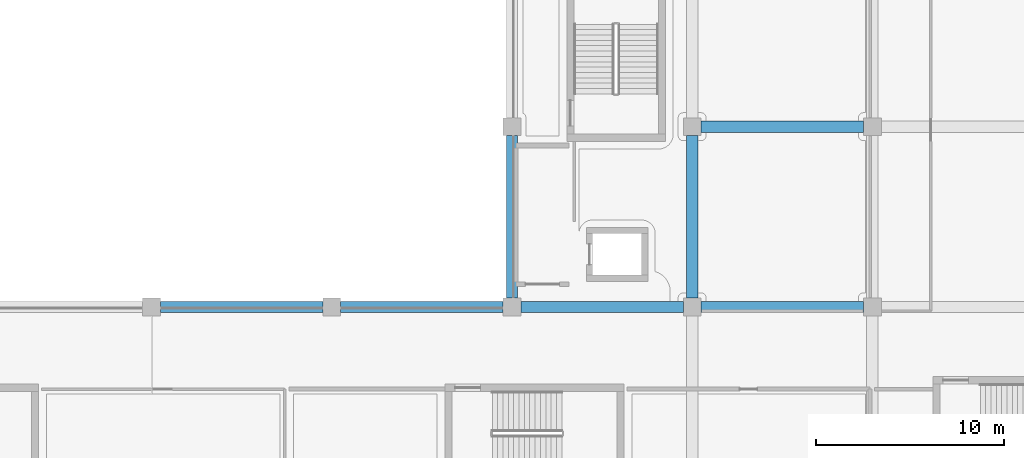
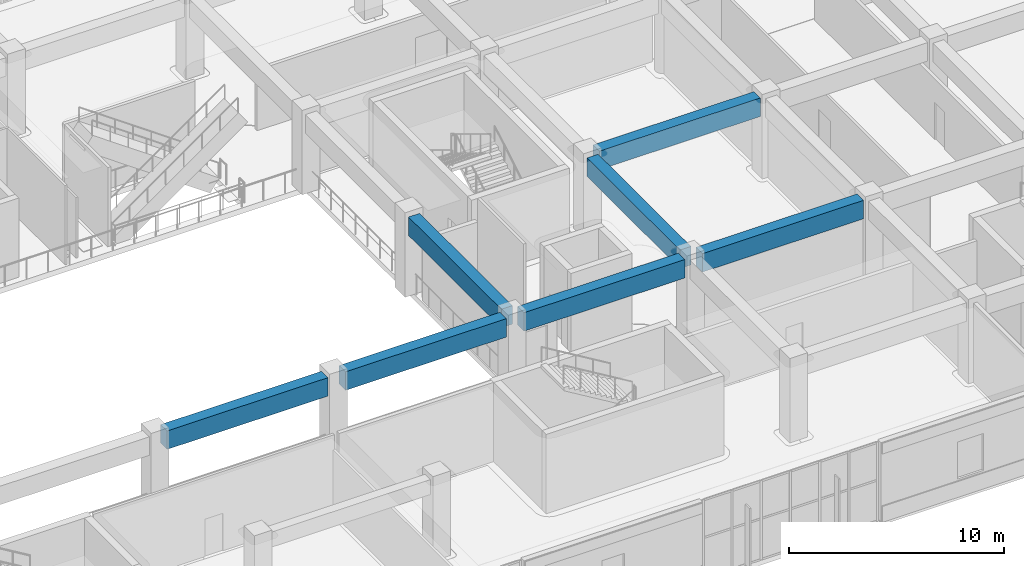
# One storey, part 10 of 86: 7 beams.
"""IFC4 building model written with IfcOpenShell, lengths in metres."""

from ifc_helpers import new_model, si_unit, direction, frame, origin, origin_2d, place, context, subcontext, project, spatial, rectangle, extrude, material, material_profile, profile_set, type_object, element, save


model = new_model("IFC4")

# Units and contexts
model_context = context("Model", 3, precision=1e-05, world=origin(), true_north=direction((0.0, 1.0)))
body_context = subcontext(model_context, "Body", "Model", "MODEL_VIEW")
ifc_project = project(units=[si_unit("LENGTHUNIT", "METRE"), si_unit("AREAUNIT", "SQUARE_METRE"), si_unit("VOLUMEUNIT", "CUBIC_METRE"), si_unit("PLANEANGLEUNIT", "RADIAN"), si_unit("MASSUNIT", "GRAM", prefix="KILO")], contexts=[model_context])

# Site, building, storey
site_placement = place(None, origin())
site = spatial("IfcSite", under=ifc_project, at=site_placement, CompositionType="ELEMENT")
building_placement = place(site_placement, origin())
building = spatial("IfcBuilding", under=site, at=building_placement, Name="Cendralis Terraced Arcade", CompositionType="ELEMENT")
storey_placement = place(building_placement, frame((0.0, 0.0, 5.39990234375)))
storey = spatial("IfcBuildingStorey", under=building, at=storey_placement, Name="L01", CompositionType="ELEMENT", Elevation=5.39990234375)

# Beams
ifc_material = material(Name="Concrete f'c 35 MPa", Category="concrete")
ifc_material_profile = material_profile(ifc_material, rectangle(XDim=0.60009765625, YDim=1.050048828125, at=origin_2d()), Name="RC-BM-600x1050", Category="LoadBearing")
ifc_profile_set = profile_set([ifc_material_profile], Name="Concrete f'c 35 MPa")
beam_type = type_object("IfcBeamType", Name="BM-600x1050", PredefinedType="JOIST", material=ifc_profile_set)
beam_placement = place(storey_placement, frame((29.27490234375, 19.199951171875, 3.97998046875), z_axis=(1.0, 0.0, 0.0), x_axis=(0.0, 1.0, 0.0)))
element("IfcBeam", 1, at=beam_placement, inside=storey, type_object=beam_type, Name="Reinforced Concrete Frame Beam BM-X-L02-C-4_5", PredefinedType="JOIST", context=body_context, shape_type="SweptSolid", body=[
    extrude(rectangle(XDim=0.60009765625, YDim=1.050048828125, at=origin_2d()), origin(), (0.0, 0.0, 1.0), 8.650146484375),
])
for number, where, z_axis, x_axis, name in (
    (2, (38.875, 19.199951171875, 3.97998046875), (1.0, 0.0, 0.0), (0.0, 1.0, 0.0), "Reinforced Concrete Frame Beam BM-X-L02-C-5_6"),
    (3, (48.47509765625, 19.199951171875, 3.97998046875), (1.0, 0.0, 0.0), (0.0, 1.0, 0.0), "Reinforced Concrete Frame Beam BM-X-L02-C-6_7"),
):
    element("IfcBeam", number, at=place(storey_placement, frame(where, z_axis=z_axis, x_axis=x_axis)), inside=storey, type_object=beam_type, Name=name, PredefinedType="JOIST", context=body_context, shape_type="SweptSolid", body=[
        extrude(rectangle(XDim=0.60009765625, YDim=1.050048828125, at=origin_2d()), origin(), (0.0, 0.0, 1.0), 8.64990234375),
    ])
for number, where, z_axis, x_axis, name in (
    (4, (58.074951171875, 19.199951171875, 3.97998046875), (1.0, 0.0, 0.0), (0.0, 1.0, 0.0), "Reinforced Concrete Frame Beam BM-X-L02-C-7_8"),
    (5, (58.074951171875, 28.800048828125, 3.97998046875), (1.0, 0.0, 0.0), (0.0, 1.0, 0.0), "Reinforced Concrete Frame Beam BM-X-L02-D-7_8"),
):
    element("IfcBeam", number, at=place(storey_placement, frame(where, z_axis=z_axis, x_axis=x_axis)), inside=storey, type_object=beam_type, Name=name, PredefinedType="JOIST", context=body_context, shape_type="SweptSolid", body=[
        extrude(rectangle(XDim=0.60009765625, YDim=1.050048828125, at=origin_2d()), origin(), (0.0, 0.0, 1.0), 8.650146484375),
    ])
for number, where, z_axis, x_axis, name in (
    (6, (48.0, 19.675048828125, 3.97998046875), (0.0, 1.0, 0.0), (-1.0, 0.0, 0.0), "Reinforced Concrete Frame Beam BM-Y-L02-6-C_D"),
    (7, (57.60009765625, 19.675048828125, 3.97998046875), (0.0, 1.0, 0.0), (-1.0, 0.0, 0.0), "Reinforced Concrete Frame Beam BM-Y-L02-7-C_D"),
):
    element("IfcBeam", number, at=place(storey_placement, frame(where, z_axis=z_axis, x_axis=x_axis)), inside=storey, type_object=beam_type, Name=name, PredefinedType="JOIST", context=body_context, shape_type="SweptSolid", body=[
        extrude(rectangle(XDim=0.60009765625, YDim=1.050048828125, at=origin_2d()), origin(), (0.0, 0.0, 1.0), 8.64990234375),
    ])

save(model, "model.ifc")
